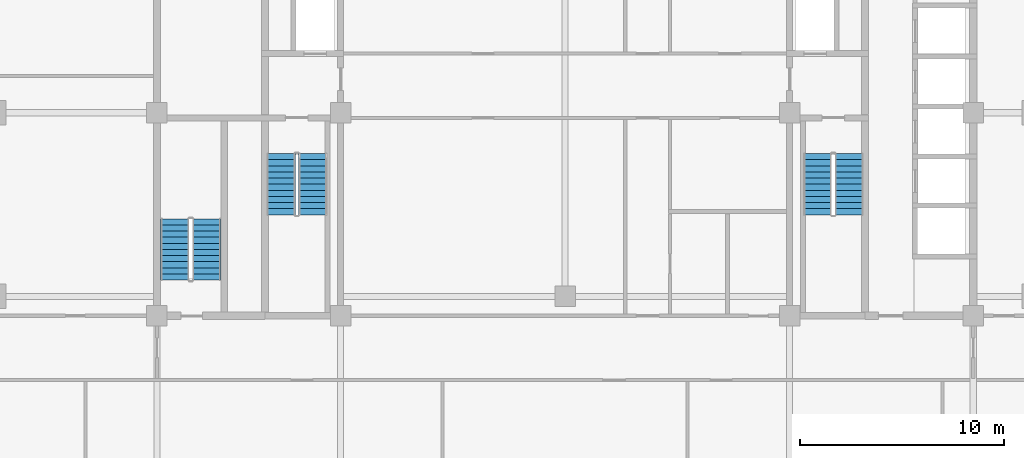
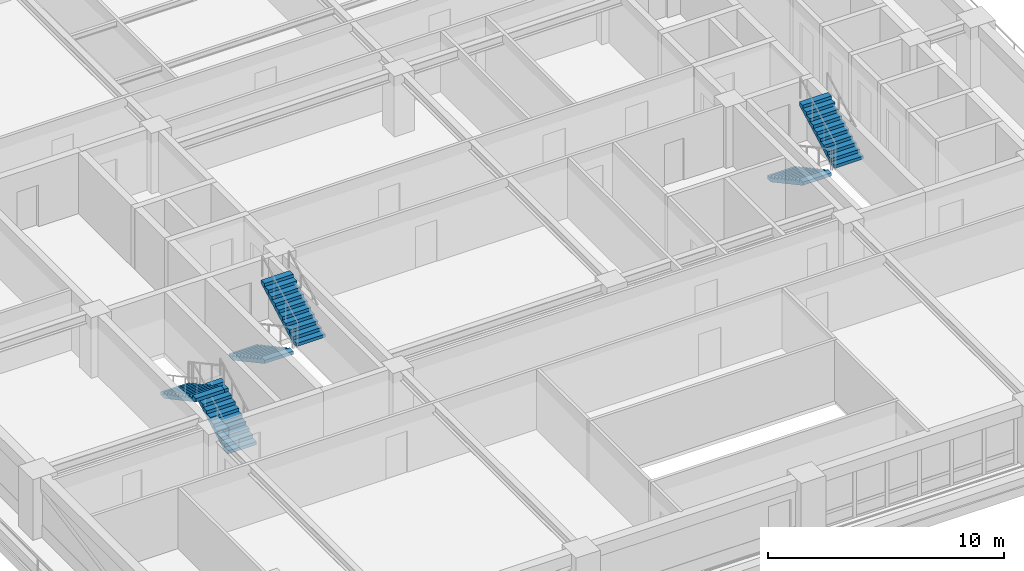
# One storey, part 11 of 17: 6 stair flights, 3 elements without a shape of their own.
"""IFC4 building model written with IfcOpenShell, lengths in metres."""

from ifc_helpers import new_model, si_unit, direction, frame, origin, place, context, subcontext, project, spatial, polyline, outline, extrude, material, layer, layer_set, type_object, element, aggregate, save


model = new_model("IFC4")

# Units and contexts
model_context = context("Model", 3, precision=1e-05, world=origin(), true_north=direction((0.0, 1.0)))
body_context = subcontext(model_context, "Body", "Model", "MODEL_VIEW")
ifc_project = project(units=[si_unit("LENGTHUNIT", "METRE"), si_unit("AREAUNIT", "SQUARE_METRE"), si_unit("VOLUMEUNIT", "CUBIC_METRE"), si_unit("PLANEANGLEUNIT", "RADIAN"), si_unit("MASSUNIT", "GRAM", prefix="KILO")], contexts=[model_context])

# Site, building, storey
site_placement = place(None, origin())
site = spatial("IfcSite", under=ifc_project, at=site_placement, CompositionType="ELEMENT")
building_placement = place(site_placement, origin())
building = spatial("IfcBuilding", under=site, at=building_placement, Name="Zulmaris Gate Convention Tower", CompositionType="ELEMENT")
storey_placement = place(building_placement, frame((0.0, 0.0, 149.909912109375)))
storey = spatial("IfcBuildingStorey", under=building, at=storey_placement, Name="L38", CompositionType="ELEMENT", Elevation=149.909912109375)

# Stair, stair flights
ifc_material = material(Name="Concrete C45/55", Category="concrete")
stair_type = type_object("IfcStairType", Name="ST-CORE-DOGLEG", PredefinedType="HALF_TURN_STAIR", material=ifc_material)
stair_1_placement = place(storey_placement, origin())
stair_1 = element("IfcStair", 1, at=stair_1_placement, inside=storey, type_object=stair_type, Name="L38 Core Exit Stair ST-1", PredefinedType="HALF_TURN_STAIR")
ifc_layer = layer(ifc_material, 0.14990234375, Name="Concrete C45/55")
ifc_layer_set = layer_set([ifc_layer], Name="Concrete C45/55")
stair_flight_type = type_object("IfcStairFlightType", Name="STF-RC150", PredefinedType="STRAIGHT", material=ifc_layer_set)
stair_flight_1_placement = place(storey_placement, frame((-13.919921875, -2.0, 0.0), z_axis=(0.0, 0.0, 1.0), x_axis=(0.0, -1.0, 0.0)))
stair_flight_1 = element("IfcStairFlight", 2, at=stair_flight_1_placement, type_object=stair_flight_type, Name="ST-1 flight 1", NumberOfRisers=11, NumberOfTreads=10, PredefinedType="STRAIGHT", RiserHeight=0.162277273, TreadLength=0.3, context=body_context, shape_type="SweptSolid", body=[
    extrude(outline(polyline([(0.0, 0.0), (0.0, 0.162353515625), (0.300048828125, 0.162353515625), (0.300048828125, 0.324462890625), (0.60009765625, 0.324462890625), (0.60009765625, 0.48681640625), (0.89990234375, 0.48681640625), (0.89990234375, 0.649169921875), (1.199951171875, 0.649169921875), (1.199951171875, 0.811279296875), (1.5, 0.811279296875), (1.5, 0.9736328125), (1.800048828125, 0.9736328125), (1.800048828125, 1.135986328125), (2.10009765625, 1.135986328125), (2.10009765625, 1.29833984375), (2.39990234375, 1.29833984375), (2.39990234375, 1.46044921875), (2.699951171875, 1.46044921875), (2.699951171875, 1.622802734375), (3.0, 1.622802734375), (3.0, 1.78515625), (3.0, 1.452392578125), (0.315185546875, 0.0), (0.0, 0.0)])), frame((0.0, 0.699951171875, 0.0), z_axis=(0.0, -1.0, 0.0), x_axis=(1.0, 0.0, 0.0)), (0.0, 0.0, 1.0), 1.39990234375),
])
stair_flight_2_placement = place(storey_placement, frame((-12.360107421875, -5.0, 1.78515625), z_axis=(0.0, 0.0, 1.0), x_axis=(0.0, 1.0, 0.0)))
stair_flight_2 = element("IfcStairFlight", 3, at=stair_flight_2_placement, type_object=stair_flight_type, Name="ST-1 flight 2", NumberOfRisers=11, NumberOfTreads=10, PredefinedType="STRAIGHT", RiserHeight=0.162277273, TreadLength=0.3, context=body_context, shape_type="SweptSolid", body=[
    extrude(outline(polyline([(0.0, 0.0), (0.0, 0.162353515625), (0.300048828125, 0.162353515625), (0.300048828125, 0.324462890625), (0.60009765625, 0.324462890625), (0.60009765625, 0.48681640625), (0.89990234375, 0.48681640625), (0.89990234375, 0.649169921875), (1.199951171875, 0.649169921875), (1.199951171875, 0.811279296875), (1.5, 0.811279296875), (1.5, 0.9736328125), (1.800048828125, 0.9736328125), (1.800048828125, 1.135986328125), (2.10009765625, 1.135986328125), (2.10009765625, 1.29833984375), (2.39990234375, 1.29833984375), (2.39990234375, 1.46044921875), (2.699951171875, 1.46044921875), (2.699951171875, 1.622802734375), (3.0, 1.622802734375), (3.0, 1.78515625), (3.0, 1.452392578125), (0.315185546875, 0.0), (0.0, 0.0)])), frame((0.0, 0.699951171875, 0.0), z_axis=(0.0, -1.0, 0.0), x_axis=(1.0, 0.0, 0.0)), (0.0, 0.0, 1.0), 1.39990234375),
])
aggregate(stair_1, [stair_flight_1, stair_flight_2])

stair_2_placement = place(storey_placement, origin())
stair_2 = element("IfcStair", 4, at=stair_2_placement, inside=storey, type_object=stair_type, Name="L38 Core Exit Stair ST-2", PredefinedType="HALF_TURN_STAIR")
stair_flight_3_placement = place(storey_placement, frame((12.360107421875, -2.0, 0.0), z_axis=(0.0, 0.0, 1.0), x_axis=(0.0, -1.0, 0.0)))
stair_flight_3 = element("IfcStairFlight", 5, at=stair_flight_3_placement, type_object=stair_flight_type, Name="ST-2 flight 1", NumberOfRisers=11, NumberOfTreads=10, PredefinedType="STRAIGHT", RiserHeight=0.162277273, TreadLength=0.3, context=body_context, shape_type="SweptSolid", body=[
    extrude(outline(polyline([(0.0, 0.0), (0.0, 0.162353515625), (0.300048828125, 0.162353515625), (0.300048828125, 0.324462890625), (0.60009765625, 0.324462890625), (0.60009765625, 0.48681640625), (0.89990234375, 0.48681640625), (0.89990234375, 0.649169921875), (1.199951171875, 0.649169921875), (1.199951171875, 0.811279296875), (1.5, 0.811279296875), (1.5, 0.9736328125), (1.800048828125, 0.9736328125), (1.800048828125, 1.135986328125), (2.10009765625, 1.135986328125), (2.10009765625, 1.29833984375), (2.39990234375, 1.29833984375), (2.39990234375, 1.46044921875), (2.699951171875, 1.46044921875), (2.699951171875, 1.622802734375), (3.0, 1.622802734375), (3.0, 1.78515625), (3.0, 1.452392578125), (0.315185546875, 0.0), (0.0, 0.0)])), frame((0.0, 0.699951171875, 0.0), z_axis=(0.0, -1.0, 0.0), x_axis=(1.0, 0.0, 0.0)), (0.0, 0.0, 1.0), 1.39990234375),
])
stair_flight_4_placement = place(storey_placement, frame((13.919921875, -5.0, 1.78515625), z_axis=(0.0, 0.0, 1.0), x_axis=(0.0, 1.0, 0.0)))
stair_flight_4 = element("IfcStairFlight", 6, at=stair_flight_4_placement, type_object=stair_flight_type, Name="ST-2 flight 2", NumberOfRisers=11, NumberOfTreads=10, PredefinedType="STRAIGHT", RiserHeight=0.162277273, TreadLength=0.3, context=body_context, shape_type="SweptSolid", body=[
    extrude(outline(polyline([(0.0, 0.0), (0.0, 0.162353515625), (0.300048828125, 0.162353515625), (0.300048828125, 0.324462890625), (0.60009765625, 0.324462890625), (0.60009765625, 0.48681640625), (0.89990234375, 0.48681640625), (0.89990234375, 0.649169921875), (1.199951171875, 0.649169921875), (1.199951171875, 0.811279296875), (1.5, 0.811279296875), (1.5, 0.9736328125), (1.800048828125, 0.9736328125), (1.800048828125, 1.135986328125), (2.10009765625, 1.135986328125), (2.10009765625, 1.29833984375), (2.39990234375, 1.29833984375), (2.39990234375, 1.46044921875), (2.699951171875, 1.46044921875), (2.699951171875, 1.622802734375), (3.0, 1.622802734375), (3.0, 1.78515625), (3.0, 1.452392578125), (0.315185546875, 0.0), (0.0, 0.0)])), frame((0.0, 0.699951171875, 0.0), z_axis=(0.0, -1.0, 0.0), x_axis=(1.0, 0.0, 0.0)), (0.0, 0.0, 1.0), 1.39990234375),
])
aggregate(stair_2, [stair_flight_3, stair_flight_4])

stair_3_placement = place(storey_placement, origin())
stair_3 = element("IfcStair", 7, at=stair_3_placement, inside=storey, type_object=stair_type, Name="L38 Core Exit Stair ST-3", PredefinedType="HALF_TURN_STAIR")
stair_flight_5_placement = place(storey_placement, frame((-17.56005859375, -8.199951171875, 0.0), z_axis=(0.0, 0.0, 1.0), x_axis=(0.0, 1.0, 0.0)))
stair_flight_5 = element("IfcStairFlight", 8, at=stair_flight_5_placement, type_object=stair_flight_type, Name="ST-3 flight 1", NumberOfRisers=11, NumberOfTreads=10, PredefinedType="STRAIGHT", RiserHeight=0.162277273, TreadLength=0.3, context=body_context, shape_type="SweptSolid", body=[
    extrude(outline(polyline([(0.0, 0.0), (0.0, 0.162353515625), (0.300048828125, 0.162353515625), (0.300048828125, 0.324462890625), (0.60009765625, 0.324462890625), (0.60009765625, 0.48681640625), (0.89990234375, 0.48681640625), (0.89990234375, 0.649169921875), (1.199951171875, 0.649169921875), (1.199951171875, 0.811279296875), (1.5, 0.811279296875), (1.5, 0.9736328125), (1.800048828125, 0.9736328125), (1.800048828125, 1.135986328125), (2.10009765625, 1.135986328125), (2.10009765625, 1.29833984375), (2.39990234375, 1.29833984375), (2.39990234375, 1.46044921875), (2.699951171875, 1.46044921875), (2.699951171875, 1.622802734375), (3.0, 1.622802734375), (3.0, 1.78515625), (3.0, 1.452392578125), (0.315185546875, 0.0), (0.0, 0.0)])), frame((0.0, 0.699951171875, 0.0), z_axis=(0.0, -1.0, 0.0), x_axis=(1.0, 0.0, 0.0)), (0.0, 0.0, 1.0), 1.39990234375),
])
stair_flight_6_placement = place(storey_placement, frame((-19.1201171875, -5.199951171875, 1.78515625), z_axis=(0.0, 0.0, 1.0), x_axis=(0.0, -1.0, 0.0)))
stair_flight_6 = element("IfcStairFlight", 9, at=stair_flight_6_placement, type_object=stair_flight_type, Name="ST-3 flight 2", NumberOfRisers=11, NumberOfTreads=10, PredefinedType="STRAIGHT", RiserHeight=0.162277273, TreadLength=0.3, context=body_context, shape_type="SweptSolid", body=[
    extrude(outline(polyline([(0.0, 0.0), (0.0, 0.162353515625), (0.300048828125, 0.162353515625), (0.300048828125, 0.324462890625), (0.60009765625, 0.324462890625), (0.60009765625, 0.48681640625), (0.89990234375, 0.48681640625), (0.89990234375, 0.649169921875), (1.199951171875, 0.649169921875), (1.199951171875, 0.811279296875), (1.5, 0.811279296875), (1.5, 0.9736328125), (1.800048828125, 0.9736328125), (1.800048828125, 1.135986328125), (2.10009765625, 1.135986328125), (2.10009765625, 1.29833984375), (2.39990234375, 1.29833984375), (2.39990234375, 1.46044921875), (2.699951171875, 1.46044921875), (2.699951171875, 1.622802734375), (3.0, 1.622802734375), (3.0, 1.78515625), (3.0, 1.452392578125), (0.315185546875, 0.0), (0.0, 0.0)])), frame((0.0, 0.699951171875, 0.0), z_axis=(0.0, -1.0, 0.0), x_axis=(1.0, 0.0, 0.0)), (0.0, 0.0, 1.0), 1.39990234375),
])
aggregate(stair_3, [stair_flight_5, stair_flight_6])

save(model, "model.ifc")
